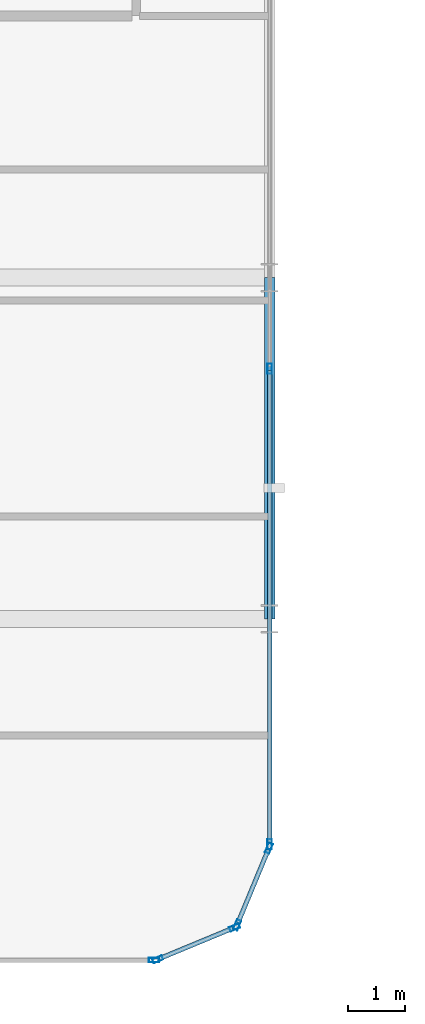
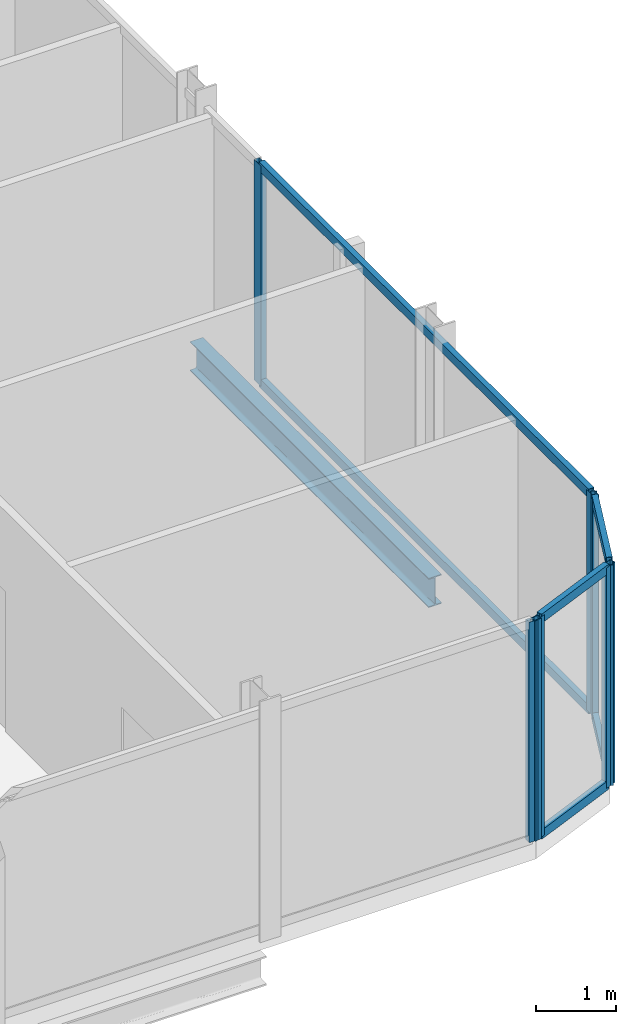
# One storey, part 11 of 31: 13 members, 1 beam, 4 elements without a shape of their own.
"""IFC4 building model written with IfcOpenShell, lengths in metres."""

from ifc_helpers import new_model, si_unit, direction, frame, origin, origin_2d, place, context, subcontext, project, spatial, hollow_rectangle, i_section, extrude, material, layer, layer_set, material_profile, profile_set, type_object, element, aggregate, save


model = new_model("IFC4")

# Units and contexts
model_context = context("Model", 3, precision=1e-05, world=origin(), true_north=direction((0.0, 1.0)))
body_context = subcontext(model_context, "Body", "Model", "MODEL_VIEW")
ifc_project = project(units=[si_unit("LENGTHUNIT", "METRE"), si_unit("AREAUNIT", "SQUARE_METRE"), si_unit("VOLUMEUNIT", "CUBIC_METRE"), si_unit("PLANEANGLEUNIT", "RADIAN"), si_unit("MASSUNIT", "GRAM", prefix="KILO")], contexts=[model_context])

# Site, building, storey
site_placement = place(None, origin())
site = spatial("IfcSite", under=ifc_project, at=site_placement, CompositionType="ELEMENT")
building_placement = place(site_placement, origin())
building = spatial("IfcBuilding", under=site, at=building_placement, Name="Keshet Zoharim Tower", CompositionType="ELEMENT")
storey_placement = place(building_placement, frame((0.0, 0.0, 148.300048828125)))
storey = spatial("IfcBuildingStorey", under=building, at=storey_placement, Name="L36", CompositionType="ELEMENT", Elevation=148.300048828125)

# Beam
ifc_material_1 = material(Name="Steel S355", Category="steel")
ifc_material_profile_1 = material_profile(ifc_material_1, i_section(OverallWidth=0.18994140625, OverallDepth=0.449951171875, WebThickness=0.009521484375, FlangeThickness=0.0146484375, FilletRadius=0.02099609375, at=origin_2d()), Name="IPE450")
ifc_profile_set_1 = profile_set([ifc_material_profile_1], Name="Steel S355")
beam_type = type_object("IfcBeamType", Name="BM-PRI-IP450", PredefinedType="BEAM", material=ifc_profile_set_1)
beam_placement = place(storey_placement, frame((57.0, 6.699951171875, -0.5400390625), z_axis=(0.0, 1.0, 0.0), x_axis=(-1.0, 0.0, 0.0)))
element("IfcBeam", 1, at=beam_placement, inside=storey, type_object=beam_type, Name="L36 Primary Girder Y-013", PredefinedType="BEAM", context=body_context, shape_type="SweptSolid", body=[
    extrude(i_section(OverallWidth=0.18994140625, OverallDepth=0.449951171875, WebThickness=0.009521484375, FlangeThickness=0.0146484375, FilletRadius=0.02099609375, at=origin_2d()), origin(), (0.0, 0.0, 1.0), 6.0),
])

# Curtain wall, members
ifc_material_2 = material(Name="Aluminium 6063-T6", Category="aluminium")
ifc_layer = layer(ifc_material_2, 0.159912109375)
ifc_layer_set = layer_set([ifc_layer], Name="Aluminium 6063-T6")
curtain_wall_type = type_object("IfcCurtainWallType", Name="CW-SYS-03", PredefinedType="NOTDEFINED", material=ifc_layer_set)
curtain_wall_1_placement = place(storey_placement, origin())
curtain_wall_1 = element("IfcCurtainWall", 2, at=curtain_wall_1_placement, inside=storey, type_object=curtain_wall_type, Name="L36 Unitised Curtain Wall 01", PredefinedType="NOTDEFINED")
ifc_material_profile_2 = material_profile(ifc_material_2, hollow_rectangle(XDim=0.080078125, YDim=0.179931640625, WallThickness=0.00439453125, at=origin_2d()), Name="MUL-80x180")
ifc_profile_set_2 = profile_set([ifc_material_profile_2], Name="Aluminium 6063-T6")
member_type_1 = type_object("IfcMemberType", Name="CWM-M18", PredefinedType="MULLION", material=ifc_profile_set_2)
member_1_placement = place(storey_placement, frame((56.986572265625, 2.667724609375, 0.0), z_axis=(0.0, 0.0, 1.0), x_axis=(0.92380975372, -0.382851849847, 0.0)))
member_1 = element("IfcMember", 3, at=member_1_placement, type_object=member_type_1, Name="CW-03 mullion 1", PredefinedType="MULLION", context=body_context, shape_type="SweptSolid", body=[
    extrude(hollow_rectangle(XDim=0.080078125, YDim=0.179931640625, WallThickness=0.00439453125, at=origin_2d()), origin(), (0.0, 0.0, 1.0), 3.385009765625),
])
member_2_placement = place(storey_placement, frame((56.427490234375, 1.318359375, 0.0), z_axis=(0.0, 0.0, 1.0), x_axis=(0.92380975372, -0.382851849847, 0.0)))
member_2 = element("IfcMember", 4, at=member_2_placement, type_object=member_type_1, Name="CW-03 mullion 2", PredefinedType="MULLION", context=body_context, shape_type="SweptSolid", body=[
    extrude(hollow_rectangle(XDim=0.080078125, YDim=0.179931640625, WallThickness=0.00439453125, at=origin_2d()), origin(), (0.0, 0.0, 1.0), 3.385009765625),
])

curtain_wall_2_placement = place(storey_placement, origin())
curtain_wall_2 = element("IfcCurtainWall", 5, at=curtain_wall_2_placement, inside=storey, type_object=curtain_wall_type, Name="L36 Unitised Curtain Wall 02", PredefinedType="NOTDEFINED")
member_3_placement = place(storey_placement, frame((56.381591796875, 1.272705078125, 0.0), z_axis=(0.0, 0.0, 1.0), x_axis=(0.382851849847, -0.92380975372, 0.0)))
member_3 = element("IfcMember", 6, at=member_3_placement, type_object=member_type_1, Name="CW-03 mullion 1", PredefinedType="MULLION", context=body_context, shape_type="SweptSolid", body=[
    extrude(hollow_rectangle(XDim=0.080078125, YDim=0.179931640625, WallThickness=0.00439453125, at=origin_2d()), origin(), (0.0, 0.0, 1.0), 3.385009765625),
])
member_4_placement = place(storey_placement, frame((55.0322265625, 0.71337890625, 0.0), z_axis=(0.0, 0.0, 1.0), x_axis=(0.382851849847, -0.92380975372, 0.0)))
member_4 = element("IfcMember", 7, at=member_4_placement, type_object=member_type_1, Name="CW-03 mullion 2", PredefinedType="MULLION", context=body_context, shape_type="SweptSolid", body=[
    extrude(hollow_rectangle(XDim=0.080078125, YDim=0.179931640625, WallThickness=0.00439453125, at=origin_2d()), origin(), (0.0, 0.0, 1.0), 3.385009765625),
])

# Curtain wall, member
curtain_wall_3_placement = place(storey_placement, origin())
curtain_wall_3 = element("IfcCurtainWall", 8, at=curtain_wall_3_placement, inside=storey, type_object=curtain_wall_type, Name="L36 Unitised Curtain Wall 03", PredefinedType="NOTDEFINED")
member_5_placement = place(storey_placement, frame((54.965087890625, 0.699951171875, 0.0), z_axis=(0.0, 0.0, 1.0), x_axis=(0.0, -1.0, 0.0)))
member_5 = element("IfcMember", 9, at=member_5_placement, type_object=member_type_1, Name="CW-03 mullion 1", PredefinedType="MULLION", context=body_context, shape_type="SweptSolid", body=[
    extrude(hollow_rectangle(XDim=0.080078125, YDim=0.179931640625, WallThickness=0.00439453125, at=origin_2d()), origin(), (0.0, 0.0, 1.0), 3.385009765625),
])
aggregate(curtain_wall_3, [member_5])

# Curtain wall, members
curtain_wall_4_placement = place(storey_placement, origin())
curtain_wall_4 = element("IfcCurtainWall", 10, at=curtain_wall_4_placement, inside=storey, type_object=curtain_wall_type, Name="L36 Unitised Curtain Wall 19", PredefinedType="NOTDEFINED")
member_6_placement = place(storey_placement, frame((57.0, 11.10009765625, 0.0), z_axis=(0.0, 0.0, 1.0), x_axis=(1.0, 0.0, 0.0)))
member_6 = element("IfcMember", 11, at=member_6_placement, type_object=member_type_1, Name="CW-03 mullion 3", PredefinedType="MULLION", context=body_context, shape_type="SweptSolid", body=[
    extrude(hollow_rectangle(XDim=0.080078125, YDim=0.179931640625, WallThickness=0.00439453125, at=origin_2d()), origin(), (0.0, 0.0, 1.0), 3.385009765625),
])
member_7_placement = place(storey_placement, frame((57.0, 2.735107421875, 0.0), z_axis=(0.0, 0.0, 1.0), x_axis=(1.0, 0.0, 0.0)))
member_7 = element("IfcMember", 12, at=member_7_placement, type_object=member_type_1, Name="CW-03 mullion 4", PredefinedType="MULLION", context=body_context, shape_type="SweptSolid", body=[
    extrude(hollow_rectangle(XDim=0.080078125, YDim=0.179931640625, WallThickness=0.00439453125, at=origin_2d()), origin(), (0.0, 0.0, 1.0), 3.385009765625),
])

# Member
ifc_material_profile_3 = material_profile(ifc_material_2, hollow_rectangle(XDim=0.080078125, YDim=0.139892578125, WallThickness=0.00390625, at=origin_2d()), Name="TRN-80x140")
ifc_profile_set_3 = profile_set([ifc_material_profile_3], Name="Aluminium 6063-T6")
member_type_2 = type_object("IfcMemberType", Name="CWT-T14", PredefinedType="USERDEFINED", material=ifc_profile_set_3)
member_8_placement = place(storey_placement, frame((56.97314453125, 2.63525390625, 0.034912109375), z_axis=(-0.382744609247, -0.923854189844, 0.0), x_axis=(0.923854189844, -0.382744609247, 0.0)))
member_8 = element("IfcMember", 13, at=member_8_placement, type_object=member_type_2, Name="CW-03 transom 1.1", ObjectType="TRANSOM", PredefinedType="USERDEFINED", context=body_context, shape_type="SweptSolid", body=[
    extrude(hollow_rectangle(XDim=0.080078125, YDim=0.139892578125, WallThickness=0.00390625, at=origin_2d()), origin(), (0.0, 0.0, 1.0), 1.390625),
])

member_9_placement = place(storey_placement, frame((56.97314453125, 2.63525390625, 3.349853515625), z_axis=(-0.382744609247, -0.923854189844, 0.0), x_axis=(0.923854189844, -0.382744609247, 0.0)))
member_9 = element("IfcMember", 14, at=member_9_placement, type_object=member_type_2, Name="CW-03 transom 1.2", ObjectType="TRANSOM", PredefinedType="USERDEFINED", context=body_context, shape_type="SweptSolid", body=[
    extrude(hollow_rectangle(XDim=0.080078125, YDim=0.139892578125, WallThickness=0.00390625, at=origin_2d()), origin(), (0.0, 0.0, 1.0), 1.390625),
])

aggregate(curtain_wall_1, [member_1, member_2, member_8, member_9])

member_10_placement = place(storey_placement, frame((56.349365234375, 1.25927734375, 0.034912109375), z_axis=(-0.92379209995, -0.382894445076, 0.0), x_axis=(0.382894445076, -0.92379209995, 0.0)))
member_10 = element("IfcMember", 15, at=member_10_placement, type_object=member_type_2, Name="CW-03 transom 1.1", ObjectType="TRANSOM", PredefinedType="USERDEFINED", context=body_context, shape_type="SweptSolid", body=[
    extrude(hollow_rectangle(XDim=0.080078125, YDim=0.139892578125, WallThickness=0.00390625, at=origin_2d()), origin(), (0.0, 0.0, 1.0), 1.390625),
])

member_11_placement = place(storey_placement, frame((56.349365234375, 1.25927734375, 3.349853515625), z_axis=(-0.92379209995, -0.382894445076, 0.0), x_axis=(0.382894445076, -0.92379209995, 0.0)))
member_11 = element("IfcMember", 16, at=member_11_placement, type_object=member_type_2, Name="CW-03 transom 1.2", ObjectType="TRANSOM", PredefinedType="USERDEFINED", context=body_context, shape_type="SweptSolid", body=[
    extrude(hollow_rectangle(XDim=0.080078125, YDim=0.139892578125, WallThickness=0.00390625, at=origin_2d()), origin(), (0.0, 0.0, 1.0), 1.390625),
])

aggregate(curtain_wall_2, [member_3, member_4, member_10, member_11])

member_12_placement = place(storey_placement, frame((57.0, 11.06494140625, 0.034912109375), z_axis=(0.0, -1.0, 0.0), x_axis=(1.0, 0.0, 0.0)))
member_12 = element("IfcMember", 17, at=member_12_placement, type_object=member_type_2, Name="CW-03 transom 3.1", ObjectType="TRANSOM", PredefinedType="USERDEFINED", context=body_context, shape_type="SweptSolid", body=[
    extrude(hollow_rectangle(XDim=0.080078125, YDim=0.139892578125, WallThickness=0.00390625, at=origin_2d()), origin(), (0.0, 0.0, 1.0), 8.294921875),
])

member_13_placement = place(storey_placement, frame((57.0, 11.06494140625, 3.349853515625), z_axis=(0.0, -1.0, 0.0), x_axis=(1.0, 0.0, 0.0)))
member_13 = element("IfcMember", 18, at=member_13_placement, type_object=member_type_2, Name="CW-03 transom 3.2", ObjectType="TRANSOM", PredefinedType="USERDEFINED", context=body_context, shape_type="SweptSolid", body=[
    extrude(hollow_rectangle(XDim=0.080078125, YDim=0.139892578125, WallThickness=0.00390625, at=origin_2d()), origin(), (0.0, 0.0, 1.0), 8.294921875),
])

aggregate(curtain_wall_4, [member_6, member_7, member_12, member_13])

save(model, "model.ifc")
